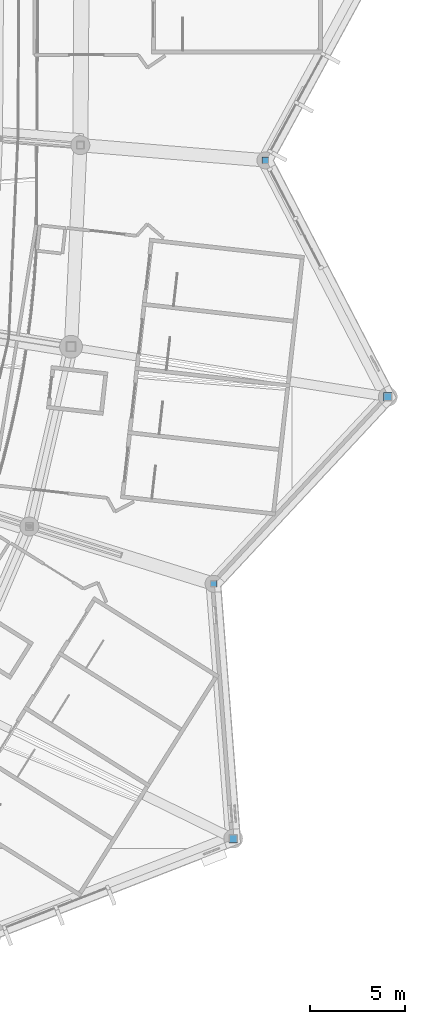
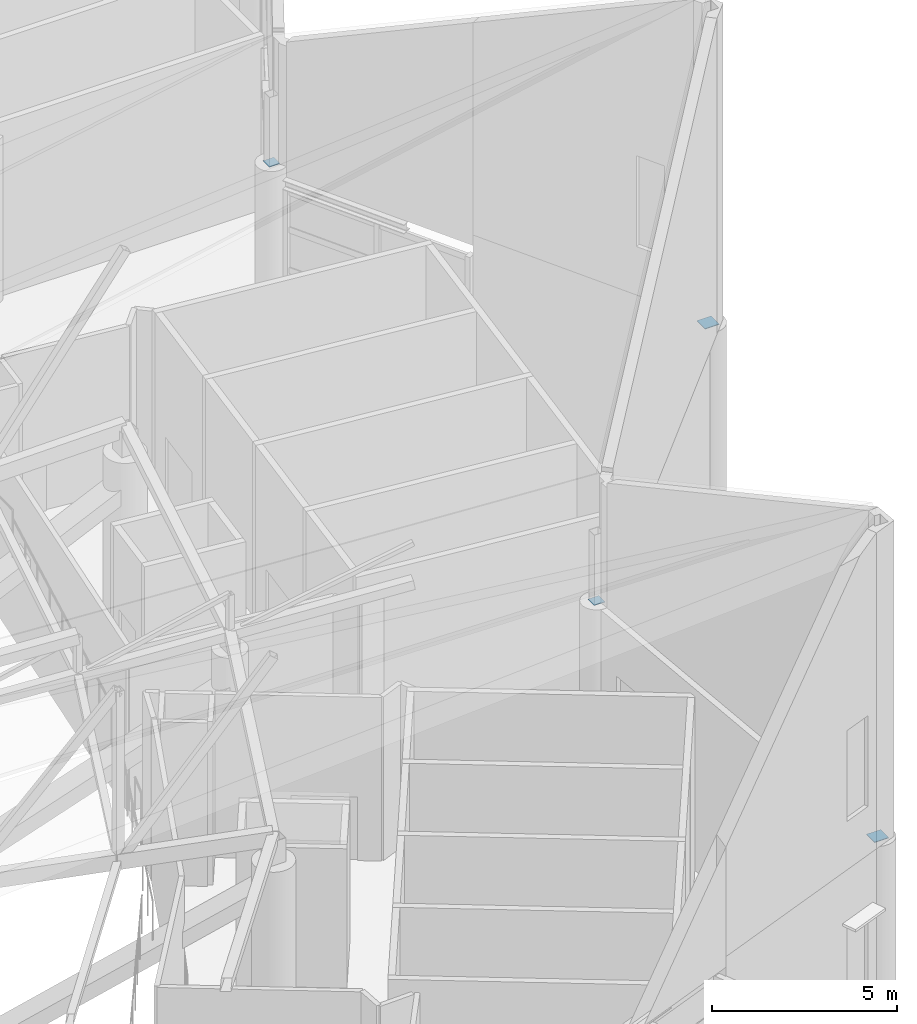
# One storey, part 302 of 344: 4 discrete accessories.
"""IFC4 building model written with IfcOpenShell, lengths in metres."""

from ifc_helpers import new_model, si_unit, direction, frame, origin, origin_2d, place, context, subcontext, project, spatial, rectangle, extrude, material, material_profile, profile_set, type_object, element, save


model = new_model("IFC4")

# Units and contexts
model_context = context("Model", 3, precision=1e-05, world=origin(), true_north=direction((0.0, 1.0)))
body_context = subcontext(model_context, "Body", "Model", "MODEL_VIEW")
ifc_project = project(units=[si_unit("LENGTHUNIT", "METRE"), si_unit("AREAUNIT", "SQUARE_METRE"), si_unit("VOLUMEUNIT", "CUBIC_METRE"), si_unit("PLANEANGLEUNIT", "RADIAN"), si_unit("MASSUNIT", "GRAM", prefix="KILO")], contexts=[model_context])

# Site, building, storey
site_placement = place(None, origin())
site = spatial("IfcSite", under=ifc_project, at=site_placement, CompositionType="ELEMENT")
building_placement = place(site_placement, origin())
building = spatial("IfcBuilding", under=site, at=building_placement, Name="Meseta Stadium", CompositionType="ELEMENT")
storey_placement = place(building_placement, frame((0.0, 0.0, 24.0)))
storey = spatial("IfcBuildingStorey", under=building, at=storey_placement, Name="L04", CompositionType="ELEMENT", Elevation=24.0)

# Discrete accessories
ifc_material_1 = material(Name="Steel S355", Category="steel")
ifc_material_profile_1 = material_profile(ifc_material_1, rectangle(XDim=0.340087890625, YDim=0.340087890625, at=origin_2d()), Name="PL 340x340")
ifc_profile_set_1 = profile_set([ifc_material_profile_1], Name="Steel S355")
discrete_accessory_type_1 = type_object("IfcDiscreteAccessoryType", Name="End plate 340x340x20", PredefinedType="ANCHORPLATE", material=ifc_profile_set_1)
for number, where, z_axis, x_axis, name in (
    (1, (94.60009765625, -43.75, 5.97998046875), (0.0, 0.0, 1.0), (1.0, 0.0, 0.0), "End plate of ROOF RIM POST RT-01"),
    (2, (91.872802734375, -66.051513671875, 5.97998046875), (0.0, 0.0, 1.0), (1.0, 0.0, 0.0), "End plate of ROOF RIM POST RT-55"),
):
    element("IfcDiscreteAccessory", number, at=place(storey_placement, frame(where, z_axis=z_axis, x_axis=x_axis)), inside=storey, type_object=discrete_accessory_type_1, Name=name, PredefinedType="ANCHORPLATE", context=body_context, shape_type="SweptSolid", body=[
        extrude(rectangle(XDim=0.340087890625, YDim=0.340087890625, at=origin_2d()), origin(), (0.0, 0.0, 1.0), 0.02001953125),
    ])
ifc_material_2 = material(Name="Steel S355", Category="steel")
ifc_material_profile_2 = material_profile(ifc_material_2, rectangle(XDim=0.43994140625, YDim=0.43994140625, at=origin_2d()), Name="PL 440x440")
ifc_profile_set_2 = profile_set([ifc_material_profile_2], Name="Steel S355")
discrete_accessory_type_2 = type_object("IfcDiscreteAccessoryType", Name="End plate 440x440x20", PredefinedType="ANCHORPLATE", material=ifc_profile_set_2)
for number, where, z_axis, x_axis, name in (
    (3, (101.0517578125, -56.202880859375, 5.97998046875), (0.0, 0.0, 1.0), (1.0, 0.0, 0.0), "End plate of ROOF RIM POST RT-00"),
    (4, (92.908447265625, -79.474609375, 5.97998046875), (0.0, 0.0, 1.0), (1.0, 0.0, 0.0), "End plate of ROOF RIM POST RT-54"),
):
    element("IfcDiscreteAccessory", number, at=place(storey_placement, frame(where, z_axis=z_axis, x_axis=x_axis)), inside=storey, type_object=discrete_accessory_type_2, Name=name, PredefinedType="ANCHORPLATE", context=body_context, shape_type="SweptSolid", body=[
        extrude(rectangle(XDim=0.43994140625, YDim=0.43994140625, at=origin_2d()), origin(), (0.0, 0.0, 1.0), 0.02001953125),
    ])

save(model, "model.ifc")
